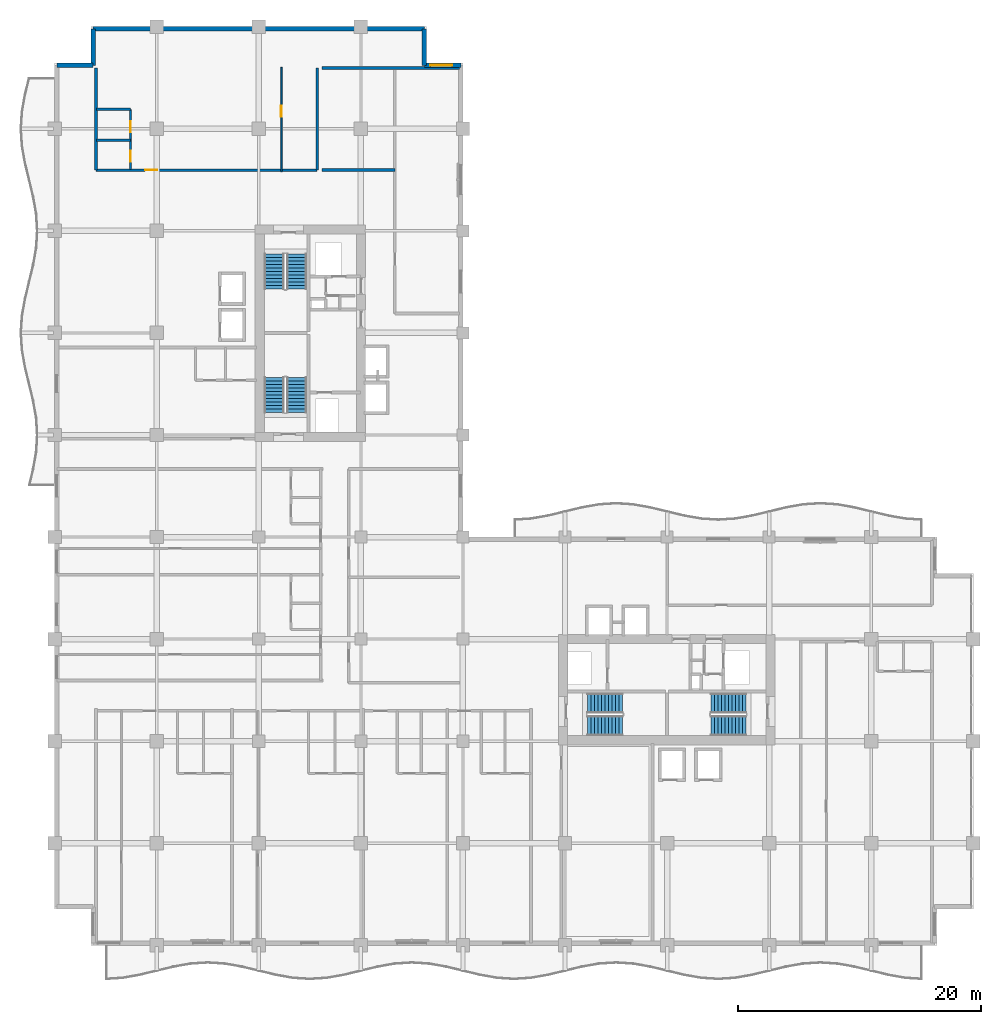
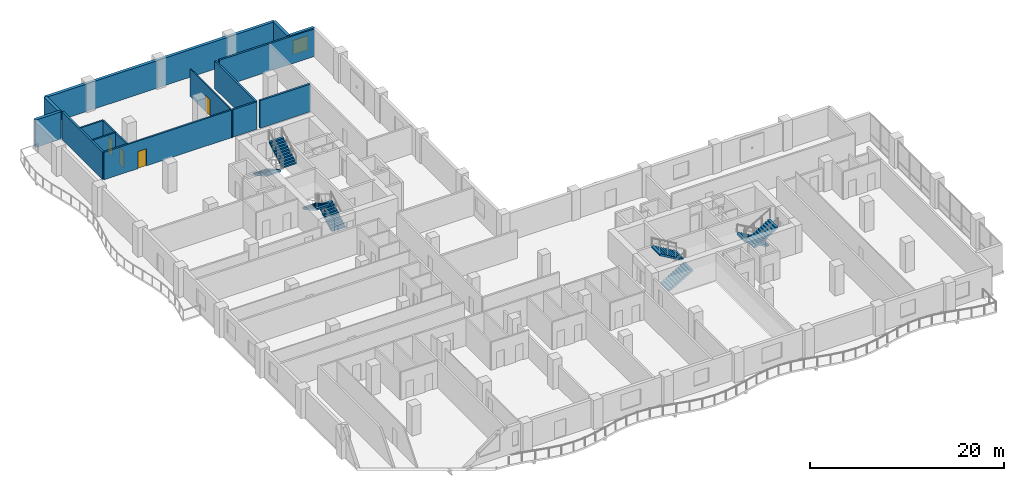
# One storey, part 16 of 22: 14 walls, 8 stair flights, 4 doors, 1 window, 5 openings, 4 elements without a shape of their own.
"""IFC4 building model written with IfcOpenShell, lengths in metres."""

from ifc_helpers import new_model, si_unit, direction, frame, frame_2d, origin, place, context, subcontext, project, spatial, polyline, rectangle, outline, extrude, material, layer, layer_set, type_object, element, fill, aggregate, save


model = new_model("IFC4")

# Units and contexts
model_context = context("Model", 3, precision=1e-05, world=origin(), true_north=direction((0.0, 1.0)))
body_context = subcontext(model_context, "Body", "Model", "MODEL_VIEW")
ifc_project = project(units=[si_unit("LENGTHUNIT", "METRE"), si_unit("AREAUNIT", "SQUARE_METRE"), si_unit("VOLUMEUNIT", "CUBIC_METRE"), si_unit("PLANEANGLEUNIT", "RADIAN"), si_unit("MASSUNIT", "GRAM", prefix="KILO")], contexts=[model_context])

# Site, building, storey
site_placement = place(None, origin())
site = spatial("IfcSite", under=ifc_project, at=site_placement, CompositionType="ELEMENT")
building_placement = place(site_placement, origin())
building = spatial("IfcBuilding", under=site, at=building_placement, Name="Koriwani Terraces Tower", CompositionType="ELEMENT")
storey_placement = place(building_placement, frame((0.0, 0.0, 182.800048828125)))
storey = spatial("IfcBuildingStorey", under=building, at=storey_placement, Name="L44", CompositionType="ELEMENT", Elevation=182.800048828125)

# Wall, opening, door
ifc_material_1 = material(Name="Autoclaved Cellular Concrete Blockwork", Category="masonry")
ifc_layer_1 = layer(ifc_material_1, 0.199951171875, Name="Autoclaved Cellular Concrete Blockwork")
ifc_layer_set_1 = layer_set([ifc_layer_1], Name="Autoclaved Cellular Concrete Blockwork")
wall_type_1 = type_object("IfcWallType", Name="WALL_CORRIDOR_200", PredefinedType="PARTITIONING", material=ifc_layer_set_1)
wall_1_placement = place(storey_placement, frame((3.39990234375, 63.800048828125, 0.0), z_axis=(0.0, 0.0, 1.0), x_axis=(1.0, 0.0, 0.0)))
wall_1 = element("IfcWall", 1, at=wall_1_placement, inside=storey, type_object=wall_type_1, Name="L44 Interior Wall WGB-L44-NWTIP-S", PredefinedType="PARTITIONING", context=body_context, shape_type="SweptSolid", body=[
    extrude(rectangle(XDim=18.2001953125, YDim=0.199951171875, at=frame_2d((9.10009765625, 0.0))), origin(), (0.0, 0.0, 1.0), 3.469970703125),
])
opening_1_placement = place(wall_1_placement, frame((4.050048828125, 0.0, 0.0)))
opening_1 = element("IfcOpeningElement", 2, at=opening_1_placement, cuts=wall_1, Name="Opening D-05", PredefinedType="OPENING", context=body_context, shape_type="SweptSolid", body=[
    extrude(rectangle(XDim=1.0, YDim=2.14990234375, at=frame_2d((0.5, 1.074951171875))), frame((0.0, 0.10986328125, 0.0), z_axis=(0.0, -1.0, 0.0), x_axis=(1.0, 0.0, 0.0)), (0.0, 0.0, 1.0), 0.219970703125),
])
ifc_material_2 = material(Name="Architectural Oak Fire Door", Category="wood")
door_type_1 = type_object("IfcDoorType", Name="DOOR_SUITE_ENTRY_1000X2150", OperationType="NOTDEFINED", PredefinedType="DOOR", material=ifc_material_2)
door_1_placement = place(opening_1_placement, origin())
door_1 = element("IfcDoor", 3, at=door_1_placement, inside=storey, type_object=door_type_1, Name="Grand Apartment 44NT Entrance Door", OperationType="SINGLE_SWING_RIGHT", OverallHeight=2.14990234375, OverallWidth=1.0, PredefinedType="DOOR", context=body_context, shape_type="SweptSolid", body=[
    extrude(rectangle(XDim=1.0, YDim=2.14990234375, at=frame_2d((0.5, 1.074951171875))), frame((0.0, 0.02490234375, 0.0), z_axis=(0.0, -1.0, 0.0), x_axis=(1.0, 0.0, 0.0)), (0.0, 0.0, 1.0), 0.050048828125),
])
fill(opening_1, door_1)

# Walls
ifc_layer_2 = layer(ifc_material_1, 0.219970703125, Name="Autoclaved Cellular Concrete Blockwork")
ifc_layer_set_2 = layer_set([ifc_layer_2], Name="Autoclaved Cellular Concrete Blockwork")
wall_type_2 = type_object("IfcWallType", Name="WALL_DEMISING_220", PredefinedType="PARTITIONING", material=ifc_layer_set_2)
for number, where, z_axis, x_axis, name in (
    (4, (21.60009765625, 63.800048828125, 0.0), (0.0, 0.0, 1.0), (0.0, 1.0, 0.0), "L44 Interior Wall WGB-L44-NWTIP-E"),
    (5, (3.39990234375, 63.800048828125, 0.0), (0.0, 0.0, 1.0), (0.0, 1.0, 0.0), "L44 Interior Wall WGB-L44-NWTIP-W"),
):
    element("IfcWall", number, at=place(storey_placement, frame(where, z_axis=z_axis, x_axis=x_axis)), inside=storey, type_object=wall_type_2, Name=name, PredefinedType="PARTITIONING", context=body_context, shape_type="SweptSolid", body=[
        extrude(rectangle(XDim=8.39990234375, YDim=0.219970703125, at=frame_2d((4.199951171875, 0.0))), origin(), (0.0, 0.0, 1.0), 3.469970703125),
    ])
wall_2_placement = place(storey_placement, frame((22.0, 72.199951171875, 0.0), z_axis=(0.0, 0.0, 1.0), x_axis=(1.0, 0.0, 0.0)))
element("IfcWall", 6, at=wall_2_placement, inside=storey, type_object=wall_type_2, Name="L44 Interior Wall WNWT2-N-L44", PredefinedType="PARTITIONING", context=body_context, shape_type="SweptSolid", body=[
    extrude(rectangle(XDim=11.300048828125, YDim=0.219970703125, at=frame_2d((5.64990234375, 0.0))), origin(), (0.0, 0.0, 1.0), 3.469970703125),
])
wall_3_placement = place(storey_placement, frame((22.0, 63.800048828125, 0.0), z_axis=(0.0, 0.0, 1.0), x_axis=(1.0, 0.0, 0.0)))
element("IfcWall", 7, at=wall_3_placement, inside=storey, type_object=wall_type_2, Name="L44 Interior Wall WNWT2-WS-L44", PredefinedType="PARTITIONING", context=body_context, shape_type="SweptSolid", body=[
    extrude(rectangle(XDim=6.0, YDim=0.219970703125, at=frame_2d((3.0, 0.0))), origin(), (0.0, 0.0, 1.0), 3.469970703125),
])
ifc_material_3 = material(Name="Concrete C50/60", Category="concrete")
ifc_layer_3 = layer(ifc_material_3, 0.35009765625, Name="Concrete C50/60")
ifc_layer_set_3 = layer_set([ifc_layer_3], Name="Concrete C50/60")
wall_type_3 = type_object("IfcWallType", Name="WALL_EXT_BRUTALIST_350", PredefinedType="STANDARD", material=ifc_layer_set_3)
for number, where, z_axis, x_axis, name in (
    (8, (0.175048828125, 72.425048828125, 0.0), (0.0, 0.0, 1.0), (1.0, 0.0, 0.0), "L44 Fair-Faced Brutalist Exterior Wall (N3)"),
    (9, (3.175048828125, 72.425048828125, 0.0), (0.0, 0.0, 1.0), (0.0, 1.0, 0.0), "L44 Fair-Faced Brutalist Exterior Wall (N4)"),
):
    element("IfcWall", number, at=place(storey_placement, frame(where, z_axis=z_axis, x_axis=x_axis)), inside=storey, type_object=wall_type_3, Name=name, PredefinedType="STANDARD", context=body_context, shape_type="SweptSolid", body=[
        extrude(rectangle(XDim=3.0, YDim=0.35009765625, at=frame_2d((1.5, 0.0))), origin(), (0.0, 0.0, 1.0), 3.469970703125),
    ])
wall_4_placement = place(storey_placement, frame((3.175048828125, 75.425048828125, 0.0), z_axis=(0.0, 0.0, 1.0), x_axis=(1.0, 0.0, 0.0)))
element("IfcWall", 10, at=wall_4_placement, inside=storey, type_object=wall_type_3, Name="L44 Fair-Faced Brutalist Exterior Wall (N_TIP)", PredefinedType="STANDARD", context=body_context, shape_type="SweptSolid", body=[
    extrude(rectangle(XDim=27.25, YDim=0.35009765625, at=frame_2d((13.625, 0.0))), origin(), (0.0, 0.0, 1.0), 3.469970703125),
])
wall_5_placement = place(storey_placement, frame((30.425048828125, 75.425048828125, 0.0), z_axis=(0.0, 0.0, 1.0), x_axis=(0.0, -1.0, 0.0)))
element("IfcWall", 11, at=wall_5_placement, inside=storey, type_object=wall_type_3, Name="L44 Fair-Faced Brutalist Exterior Wall (N6)", PredefinedType="STANDARD", context=body_context, shape_type="SweptSolid", body=[
    extrude(rectangle(XDim=3.0, YDim=0.35009765625, at=frame_2d((1.5, 0.0))), origin(), (0.0, 0.0, 1.0), 3.469970703125),
])

# Wall, opening, window
wall_6_placement = place(storey_placement, frame((30.425048828125, 72.425048828125, 0.0), z_axis=(0.0, 0.0, 1.0), x_axis=(1.0, 0.0, 0.0)))
wall_6 = element("IfcWall", 12, at=wall_6_placement, inside=storey, type_object=wall_type_3, Name="L44 Fair-Faced Brutalist Exterior Wall (N7)", PredefinedType="STANDARD", context=body_context, shape_type="SweptSolid", body=[
    extrude(rectangle(XDim=3.0, YDim=0.35009765625, at=frame_2d((1.5, 0.0))), origin(), (0.0, 0.0, 1.0), 3.469970703125),
])
opening_2_placement = place(wall_6_placement, frame((0.487548828125, 0.0, 0.85009765625)))
opening_2 = element("IfcOpeningElement", 13, at=opening_2_placement, cuts=wall_6, Name="Opening W-04", PredefinedType="OPENING", context=body_context, shape_type="SweptSolid", body=[
    extrude(rectangle(XDim=1.800048828125, YDim=1.800048828125, at=frame_2d((0.89990234375, 0.89990234375))), frame((0.0, 0.18505859375, 0.0), z_axis=(0.0, -1.0, 0.0), x_axis=(1.0, 0.0, 0.0)), (0.0, 0.0, 1.0), 0.3701171875),
])
ifc_material_4 = material(Name="Tempered Laminated Low-E Glass", Category="glass")
window_type = type_object("IfcWindowType", Name="WIN_RES_BED_1800X1800", PartitioningType="DOUBLE_PANEL_VERTICAL", PredefinedType="WINDOW", material=ifc_material_4)
window_placement = place(opening_2_placement, origin())
window = element("IfcWindow", 14, at=window_placement, inside=storey, type_object=window_type, Name="L44 Exterior Window (N7-R58)", OverallHeight=1.800048828125, OverallWidth=1.800048828125, PartitioningType="SINGLE_PANEL", PredefinedType="WINDOW", context=body_context, shape_type="SweptSolid", body=[
    extrude(rectangle(XDim=1.800048828125, YDim=1.800048828125, at=frame_2d((0.89990234375, 0.89990234375))), frame((0.0, 0.030029296875, 0.0), z_axis=(0.0, -1.0, 0.0), x_axis=(1.0, 0.0, 0.0)), (0.0, 0.0, 1.0), 0.06005859375),
])
fill(opening_2, window)

# Wall, opening, door
ifc_material_5 = material(Name="Fire-Rated Acoustic Gypsum Partition", Category="masonry")
ifc_layer_4 = layer(ifc_material_5, 0.125, Name="Fire-Rated Acoustic Gypsum Partition")
ifc_layer_set_4 = layer_set([ifc_layer_4], Name="Fire-Rated Acoustic Gypsum Partition")
wall_type_4 = type_object("IfcWallType", Name="WALL_INT_125", PredefinedType="PARTITIONING", material=ifc_layer_set_4)
wall_7_placement = place(storey_placement, frame((18.64990234375, 63.64990234375, 0.0), z_axis=(0.0, 0.0, 1.0), x_axis=(0.0, 1.0, 0.0)))
wall_7 = element("IfcWall", 15, at=wall_7_placement, inside=storey, type_object=wall_type_4, Name="L44 Interior Wall WGB-L44-NWTIP-BD", PredefinedType="PARTITIONING", context=body_context, shape_type="SweptSolid", body=[
    extrude(rectangle(XDim=8.60009765625, YDim=0.125, at=frame_2d((4.300048828125, 0.0))), origin(), (0.0, 0.0, 1.0), 3.469970703125),
])
opening_3_placement = place(wall_7_placement, frame((4.530029296875, 0.0, 0.0)))
opening_3 = element("IfcOpeningElement", 16, at=opening_3_placement, cuts=wall_7, Name="Opening D-06", PredefinedType="OPENING", context=body_context, shape_type="SweptSolid", body=[
    extrude(rectangle(XDim=0.919921875, YDim=2.10009765625, at=frame_2d((0.4599609375, 1.050048828125))), frame((0.0, 0.072509765625, 0.0), z_axis=(0.0, -1.0, 0.0), x_axis=(1.0, 0.0, 0.0)), (0.0, 0.0, 1.0), 0.14501953125),
])
door_type_2 = type_object("IfcDoorType", Name="DOOR_ROOM_INT_920X2100", OperationType="NOTDEFINED", PredefinedType="DOOR", material=ifc_material_2)
door_2_placement = place(opening_3_placement, origin())
door_2 = element("IfcDoor", 17, at=door_2_placement, inside=storey, type_object=door_type_2, Name="Grand Apartment 44NT Master Suite Door", OperationType="SINGLE_SWING_LEFT", OverallHeight=2.10009765625, OverallWidth=0.919921875, PredefinedType="DOOR", context=body_context, shape_type="SweptSolid", body=[
    extrude(rectangle(XDim=0.919921875, YDim=2.10009765625, at=frame_2d((0.4599609375, 1.050048828125))), frame((0.0, 0.02490234375, 0.0), z_axis=(0.0, -1.0, 0.0), x_axis=(1.0, 0.0, 0.0)), (0.0, 0.0, 1.0), 0.050048828125),
])
fill(opening_3, door_2)

# Wall, openings, doors
ifc_layer_5 = layer(ifc_material_5, 0.179931640625, Name="Fire-Rated Acoustic Gypsum Partition")
ifc_layer_set_5 = layer_set([ifc_layer_5], Name="Fire-Rated Acoustic Gypsum Partition")
wall_type_5 = type_object("IfcWallType", Name="WALL_PLUMBING_180", PredefinedType="PLUMBINGWALL", material=ifc_layer_set_5)
wall_8_placement = place(storey_placement, frame((6.25, 63.85009765625, 0.0), z_axis=(0.0, 0.0, 1.0), x_axis=(0.0, 1.0, 0.0)))
wall_8 = element("IfcWall", 18, at=wall_8_placement, inside=storey, type_object=wall_type_5, Name="L44 Interior Wall WGB-L44-NWTIP-SVB", PredefinedType="PLUMBINGWALL", context=body_context, shape_type="SweptSolid", body=[
    extrude(rectangle(XDim=4.949951171875, YDim=0.179931640625, at=frame_2d((2.47509765625, 0.0))), origin(), (0.0, 0.0, 1.0), 3.469970703125),
])
opening_4_placement = place(wall_8_placement, frame((0.64990234375, 0.0, 0.0)))
opening_4 = element("IfcOpeningElement", 19, at=opening_4_placement, cuts=wall_8, Name="Opening D-07", PredefinedType="OPENING", context=body_context, shape_type="SweptSolid", body=[
    extrude(rectangle(XDim=0.89990234375, YDim=2.10009765625, at=frame_2d((0.449951171875, 1.050048828125))), frame((0.0, 0.10009765625, 0.0), z_axis=(0.0, -1.0, 0.0), x_axis=(1.0, 0.0, 0.0)), (0.0, 0.0, 1.0), 0.199951171875),
])
opening_5_placement = place(wall_8_placement, frame((3.050048828125, 0.0, 0.0)))
opening_5 = element("IfcOpeningElement", 20, at=opening_5_placement, cuts=wall_8, Name="Opening D-06", PredefinedType="OPENING", context=body_context, shape_type="SweptSolid", body=[
    extrude(rectangle(XDim=0.919921875, YDim=2.10009765625, at=frame_2d((0.4599609375, 1.050048828125))), frame((0.0, 0.10009765625, 0.0), z_axis=(0.0, -1.0, 0.0), x_axis=(1.0, 0.0, 0.0)), (0.0, 0.0, 1.0), 0.199951171875),
])
door_type_3 = type_object("IfcDoorType", Name="DOOR_BATH_INT_900X2100", OperationType="NOTDEFINED", PredefinedType="DOOR", material=ifc_material_2)
door_3_placement = place(opening_4_placement, origin())
door_3 = element("IfcDoor", 21, at=door_3_placement, inside=storey, type_object=door_type_3, Name="Grand Apartment 44NT Bathroom Door", OperationType="SINGLE_SWING_LEFT", OverallHeight=2.10009765625, OverallWidth=0.89990234375, PredefinedType="DOOR", context=body_context, shape_type="SweptSolid", body=[
    extrude(rectangle(XDim=0.89990234375, YDim=2.10009765625, at=frame_2d((0.449951171875, 1.050048828125))), frame((0.0, 0.02490234375, 0.0), z_axis=(0.0, -1.0, 0.0), x_axis=(1.0, 0.0, 0.0)), (0.0, 0.0, 1.0), 0.050048828125),
])
fill(opening_4, door_3)
door_4_placement = place(opening_5_placement, origin())
door_4 = element("IfcDoor", 22, at=door_4_placement, inside=storey, type_object=door_type_2, Name="Grand Apartment 44NT Kitchen Door", OperationType="SINGLE_SWING_RIGHT", OverallHeight=2.10009765625, OverallWidth=0.919921875, PredefinedType="DOOR", context=body_context, shape_type="SweptSolid", body=[
    extrude(rectangle(XDim=0.919921875, YDim=2.10009765625, at=frame_2d((0.4599609375, 1.050048828125))), frame((0.0, 0.02490234375, 0.0), z_axis=(0.0, -1.0, 0.0), x_axis=(1.0, 0.0, 0.0)), (0.0, 0.0, 1.0), 0.050048828125),
])
fill(opening_5, door_4)

# Walls
for number, where, z_axis, x_axis, name in (
    (23, (3.449951171875, 66.25, 0.0), (0.0, 0.0, 1.0), (1.0, 0.0, 0.0), "L44 Interior Wall WGB-L44-NWTIP-SVM"),
    (24, (3.449951171875, 68.800048828125, 0.0), (0.0, 0.0, 1.0), (1.0, 0.0, 0.0), "L44 Interior Wall WGB-L44-NWTIP-SV2"),
):
    element("IfcWall", number, at=place(storey_placement, frame(where, z_axis=z_axis, x_axis=x_axis)), inside=storey, type_object=wall_type_5, Name=name, PredefinedType="PLUMBINGWALL", context=body_context, shape_type="SweptSolid", body=[
        extrude(rectangle(XDim=2.800048828125, YDim=0.179931640625, at=frame_2d((1.39990234375, 0.0))), origin(), (0.0, 0.0, 1.0), 3.469970703125),
    ])

# Stair, stair flights
ifc_material_6 = material(Name="Concrete C40/50", Category="concrete")
stair_type = type_object("IfcStairType", Name="STAIR_CORE_DOGLEG_1650", PredefinedType="TWO_STRAIGHT_RUN_STAIR", material=ifc_material_6)
stair_1_placement = place(storey_placement, origin())
stair_1 = element("IfcStair", 25, at=stair_1_placement, inside=storey, type_object=stair_type, Name="L44 West Core Exit Stair 1", PredefinedType="HALF_TURN_STAIR")
stair_flight_type = type_object("IfcStairFlightType", Name="STAIR_FLIGHT_RC_1650", PredefinedType="STRAIGHT", material=ifc_material_6)
stair_flight_1_placement = place(storey_placement, frame((19.925048828125, 43.85009765625, 0.0), z_axis=(0.0, 0.0, 1.0), x_axis=(0.0, 1.0, 0.0)))
stair_flight_1 = element("IfcStairFlight", 26, at=stair_flight_1_placement, type_object=stair_flight_type, Name="ST-W1 flight 1", NumberOfRisers=11, NumberOfTreads=10, PredefinedType="STRAIGHT", RiserHeight=0.168181818, TreadLength=0.29, context=body_context, shape_type="SweptSolid", body=[
    extrude(outline(polyline([(0.0, 0.0), (0.0, 0.168212890625), (0.2900390625, 0.168212890625), (0.2900390625, 0.33642578125), (0.580078125, 0.33642578125), (0.580078125, 0.504638671875), (0.8701171875, 0.504638671875), (0.8701171875, 0.672607421875), (1.159912109375, 0.672607421875), (1.159912109375, 0.8408203125), (1.449951171875, 0.8408203125), (1.449951171875, 1.009033203125), (1.739990234375, 1.009033203125), (1.739990234375, 1.17724609375), (2.030029296875, 1.17724609375), (2.030029296875, 1.345458984375), (2.320068359375, 1.345458984375), (2.320068359375, 1.513671875), (2.610107421875, 1.513671875), (2.610107421875, 1.681884765625), (2.89990234375, 1.681884765625), (2.89990234375, 1.85009765625), (2.89990234375, 1.473876953125), (0.358642578125, 0.0), (0.0, 0.0)])), frame((0.0, 0.824951171875, 0.0), z_axis=(0.0, -1.0, 0.0), x_axis=(1.0, 0.0, 0.0)), (0.0, 0.0, 1.0), 1.64990234375),
])
stair_flight_2_placement = place(storey_placement, frame((18.074951171875, 46.75, 1.849853515625), z_axis=(0.0, 0.0, 1.0), x_axis=(0.0, -1.0, 0.0)))
stair_flight_2 = element("IfcStairFlight", 27, at=stair_flight_2_placement, type_object=stair_flight_type, Name="ST-W1 flight 2", NumberOfRisers=11, NumberOfTreads=10, PredefinedType="STRAIGHT", RiserHeight=0.168181818, TreadLength=0.29, context=body_context, shape_type="SweptSolid", body=[
    extrude(outline(polyline([(0.0, 0.0), (0.0, 0.168212890625), (0.2900390625, 0.168212890625), (0.2900390625, 0.33642578125), (0.580078125, 0.33642578125), (0.580078125, 0.504638671875), (0.8701171875, 0.504638671875), (0.8701171875, 0.672607421875), (1.159912109375, 0.672607421875), (1.159912109375, 0.8408203125), (1.449951171875, 0.8408203125), (1.449951171875, 1.009033203125), (1.739990234375, 1.009033203125), (1.739990234375, 1.17724609375), (2.030029296875, 1.17724609375), (2.030029296875, 1.345458984375), (2.320068359375, 1.345458984375), (2.320068359375, 1.513671875), (2.610107421875, 1.513671875), (2.610107421875, 1.681884765625), (2.89990234375, 1.681884765625), (2.89990234375, 1.85009765625), (2.89990234375, 1.473876953125), (0.358642578125, 0.0), (0.0, 0.0)])), frame((0.0, 0.824951171875, 0.0), z_axis=(0.0, -1.0, 0.0), x_axis=(1.0, 0.0, 0.0)), (0.0, 0.0, 1.0), 1.64990234375),
])
aggregate(stair_1, [stair_flight_1, stair_flight_2])

stair_2_placement = place(storey_placement, origin())
stair_2 = element("IfcStair", 28, at=stair_2_placement, inside=storey, type_object=stair_type, Name="L44 West Core Exit Stair 2", PredefinedType="HALF_TURN_STAIR")
stair_flight_3_placement = place(storey_placement, frame((18.074951171875, 56.89990234375, 0.0), z_axis=(0.0, 0.0, 1.0), x_axis=(0.0, -1.0, 0.0)))
stair_flight_3 = element("IfcStairFlight", 29, at=stair_flight_3_placement, type_object=stair_flight_type, Name="ST-W2 flight 1", NumberOfRisers=11, NumberOfTreads=10, PredefinedType="STRAIGHT", RiserHeight=0.168181818, TreadLength=0.29, context=body_context, shape_type="SweptSolid", body=[
    extrude(outline(polyline([(0.0, 0.0), (0.0, 0.168212890625), (0.2900390625, 0.168212890625), (0.2900390625, 0.33642578125), (0.580078125, 0.33642578125), (0.580078125, 0.504638671875), (0.8701171875, 0.504638671875), (0.8701171875, 0.672607421875), (1.159912109375, 0.672607421875), (1.159912109375, 0.8408203125), (1.449951171875, 0.8408203125), (1.449951171875, 1.009033203125), (1.739990234375, 1.009033203125), (1.739990234375, 1.17724609375), (2.030029296875, 1.17724609375), (2.030029296875, 1.345458984375), (2.320068359375, 1.345458984375), (2.320068359375, 1.513671875), (2.610107421875, 1.513671875), (2.610107421875, 1.681884765625), (2.89990234375, 1.681884765625), (2.89990234375, 1.85009765625), (2.89990234375, 1.473876953125), (0.358642578125, 0.0), (0.0, 0.0)])), frame((0.0, 0.824951171875, 0.0), z_axis=(0.0, -1.0, 0.0), x_axis=(1.0, 0.0, 0.0)), (0.0, 0.0, 1.0), 1.64990234375),
])
stair_flight_4_placement = place(storey_placement, frame((19.925048828125, 54.0, 1.849853515625), z_axis=(0.0, 0.0, 1.0), x_axis=(0.0, 1.0, 0.0)))
stair_flight_4 = element("IfcStairFlight", 30, at=stair_flight_4_placement, type_object=stair_flight_type, Name="ST-W2 flight 2", NumberOfRisers=11, NumberOfTreads=10, PredefinedType="STRAIGHT", RiserHeight=0.168181818, TreadLength=0.29, context=body_context, shape_type="SweptSolid", body=[
    extrude(outline(polyline([(0.0, 0.0), (0.0, 0.168212890625), (0.2900390625, 0.168212890625), (0.2900390625, 0.33642578125), (0.580078125, 0.33642578125), (0.580078125, 0.504638671875), (0.8701171875, 0.504638671875), (0.8701171875, 0.672607421875), (1.159912109375, 0.672607421875), (1.159912109375, 0.8408203125), (1.449951171875, 0.8408203125), (1.449951171875, 1.009033203125), (1.739990234375, 1.009033203125), (1.739990234375, 1.17724609375), (2.030029296875, 1.17724609375), (2.030029296875, 1.345458984375), (2.320068359375, 1.345458984375), (2.320068359375, 1.513671875), (2.610107421875, 1.513671875), (2.610107421875, 1.681884765625), (2.89990234375, 1.681884765625), (2.89990234375, 1.85009765625), (2.89990234375, 1.473876953125), (0.358642578125, 0.0), (0.0, 0.0)])), frame((0.0, 0.824951171875, 0.0), z_axis=(0.0, -1.0, 0.0), x_axis=(1.0, 0.0, 0.0)), (0.0, 0.0, 1.0), 1.64990234375),
])
aggregate(stair_2, [stair_flight_3, stair_flight_4])

stair_3_placement = place(storey_placement, origin())
stair_3 = element("IfcStair", 31, at=stair_3_placement, inside=storey, type_object=stair_type, Name="L44 East Core Exit Stair 1", PredefinedType="HALF_TURN_STAIR")
stair_flight_5_placement = place(storey_placement, frame((43.85009765625, 18.074951171875, 0.0), z_axis=(0.0, 0.0, 1.0), x_axis=(1.0, 0.0, 0.0)))
stair_flight_5 = element("IfcStairFlight", 32, at=stair_flight_5_placement, type_object=stair_flight_type, Name="ST-E1 flight 1", NumberOfRisers=11, NumberOfTreads=10, PredefinedType="STRAIGHT", RiserHeight=0.168181818, TreadLength=0.29, context=body_context, shape_type="SweptSolid", body=[
    extrude(outline(polyline([(0.0, 0.0), (0.0, 0.168212890625), (0.2900390625, 0.168212890625), (0.2900390625, 0.33642578125), (0.580078125, 0.33642578125), (0.580078125, 0.504638671875), (0.8701171875, 0.504638671875), (0.8701171875, 0.672607421875), (1.159912109375, 0.672607421875), (1.159912109375, 0.8408203125), (1.449951171875, 0.8408203125), (1.449951171875, 1.009033203125), (1.739990234375, 1.009033203125), (1.739990234375, 1.17724609375), (2.030029296875, 1.17724609375), (2.030029296875, 1.345458984375), (2.320068359375, 1.345458984375), (2.320068359375, 1.513671875), (2.610107421875, 1.513671875), (2.610107421875, 1.681884765625), (2.89990234375, 1.681884765625), (2.89990234375, 1.85009765625), (2.89990234375, 1.473876953125), (0.358642578125, 0.0), (0.0, 0.0)])), frame((0.0, 0.824951171875, 0.0), z_axis=(0.0, -1.0, 0.0), x_axis=(1.0, 0.0, 0.0)), (0.0, 0.0, 1.0), 1.64990234375),
])
stair_flight_6_placement = place(storey_placement, frame((46.75, 19.925048828125, 1.849853515625), z_axis=(0.0, 0.0, 1.0), x_axis=(-1.0, 0.0, 0.0)))
stair_flight_6 = element("IfcStairFlight", 33, at=stair_flight_6_placement, type_object=stair_flight_type, Name="ST-E1 flight 2", NumberOfRisers=11, NumberOfTreads=10, PredefinedType="STRAIGHT", RiserHeight=0.168181818, TreadLength=0.29, context=body_context, shape_type="SweptSolid", body=[
    extrude(outline(polyline([(0.0, 0.0), (0.0, 0.168212890625), (0.2900390625, 0.168212890625), (0.2900390625, 0.33642578125), (0.580078125, 0.33642578125), (0.580078125, 0.504638671875), (0.8701171875, 0.504638671875), (0.8701171875, 0.672607421875), (1.159912109375, 0.672607421875), (1.159912109375, 0.8408203125), (1.449951171875, 0.8408203125), (1.449951171875, 1.009033203125), (1.739990234375, 1.009033203125), (1.739990234375, 1.17724609375), (2.030029296875, 1.17724609375), (2.030029296875, 1.345458984375), (2.320068359375, 1.345458984375), (2.320068359375, 1.513671875), (2.610107421875, 1.513671875), (2.610107421875, 1.681884765625), (2.89990234375, 1.681884765625), (2.89990234375, 1.85009765625), (2.89990234375, 1.473876953125), (0.358642578125, 0.0), (0.0, 0.0)])), frame((0.0, 0.824951171875, 0.0), z_axis=(0.0, -1.0, 0.0), x_axis=(1.0, 0.0, 0.0)), (0.0, 0.0, 1.0), 1.64990234375),
])
aggregate(stair_3, [stair_flight_5, stair_flight_6])

stair_4_placement = place(storey_placement, origin())
stair_4 = element("IfcStair", 34, at=stair_4_placement, inside=storey, type_object=stair_type, Name="L44 East Core Exit Stair 2", PredefinedType="HALF_TURN_STAIR")
stair_flight_7_placement = place(storey_placement, frame((56.89990234375, 19.925048828125, 0.0), z_axis=(0.0, 0.0, 1.0), x_axis=(-1.0, 0.0, 0.0)))
stair_flight_7 = element("IfcStairFlight", 35, at=stair_flight_7_placement, type_object=stair_flight_type, Name="ST-E2 flight 1", NumberOfRisers=11, NumberOfTreads=10, PredefinedType="STRAIGHT", RiserHeight=0.168181818, TreadLength=0.29, context=body_context, shape_type="SweptSolid", body=[
    extrude(outline(polyline([(0.0, 0.0), (0.0, 0.168212890625), (0.2900390625, 0.168212890625), (0.2900390625, 0.33642578125), (0.580078125, 0.33642578125), (0.580078125, 0.504638671875), (0.8701171875, 0.504638671875), (0.8701171875, 0.672607421875), (1.159912109375, 0.672607421875), (1.159912109375, 0.8408203125), (1.449951171875, 0.8408203125), (1.449951171875, 1.009033203125), (1.739990234375, 1.009033203125), (1.739990234375, 1.17724609375), (2.030029296875, 1.17724609375), (2.030029296875, 1.345458984375), (2.320068359375, 1.345458984375), (2.320068359375, 1.513671875), (2.610107421875, 1.513671875), (2.610107421875, 1.681884765625), (2.89990234375, 1.681884765625), (2.89990234375, 1.85009765625), (2.89990234375, 1.473876953125), (0.358642578125, 0.0), (0.0, 0.0)])), frame((0.0, 0.824951171875, 0.0), z_axis=(0.0, -1.0, 0.0), x_axis=(1.0, 0.0, 0.0)), (0.0, 0.0, 1.0), 1.64990234375),
])
stair_flight_8_placement = place(storey_placement, frame((54.0, 18.074951171875, 1.849853515625), z_axis=(0.0, 0.0, 1.0), x_axis=(1.0, 0.0, 0.0)))
stair_flight_8 = element("IfcStairFlight", 36, at=stair_flight_8_placement, type_object=stair_flight_type, Name="ST-E2 flight 2", NumberOfRisers=11, NumberOfTreads=10, PredefinedType="STRAIGHT", RiserHeight=0.168181818, TreadLength=0.29, context=body_context, shape_type="SweptSolid", body=[
    extrude(outline(polyline([(0.0, 0.0), (0.0, 0.168212890625), (0.2900390625, 0.168212890625), (0.2900390625, 0.33642578125), (0.580078125, 0.33642578125), (0.580078125, 0.504638671875), (0.8701171875, 0.504638671875), (0.8701171875, 0.672607421875), (1.159912109375, 0.672607421875), (1.159912109375, 0.8408203125), (1.449951171875, 0.8408203125), (1.449951171875, 1.009033203125), (1.739990234375, 1.009033203125), (1.739990234375, 1.17724609375), (2.030029296875, 1.17724609375), (2.030029296875, 1.345458984375), (2.320068359375, 1.345458984375), (2.320068359375, 1.513671875), (2.610107421875, 1.513671875), (2.610107421875, 1.681884765625), (2.89990234375, 1.681884765625), (2.89990234375, 1.85009765625), (2.89990234375, 1.473876953125), (0.358642578125, 0.0), (0.0, 0.0)])), frame((0.0, 0.824951171875, 0.0), z_axis=(0.0, -1.0, 0.0), x_axis=(1.0, 0.0, 0.0)), (0.0, 0.0, 1.0), 1.64990234375),
])
aggregate(stair_4, [stair_flight_7, stair_flight_8])

save(model, "model.ifc")
